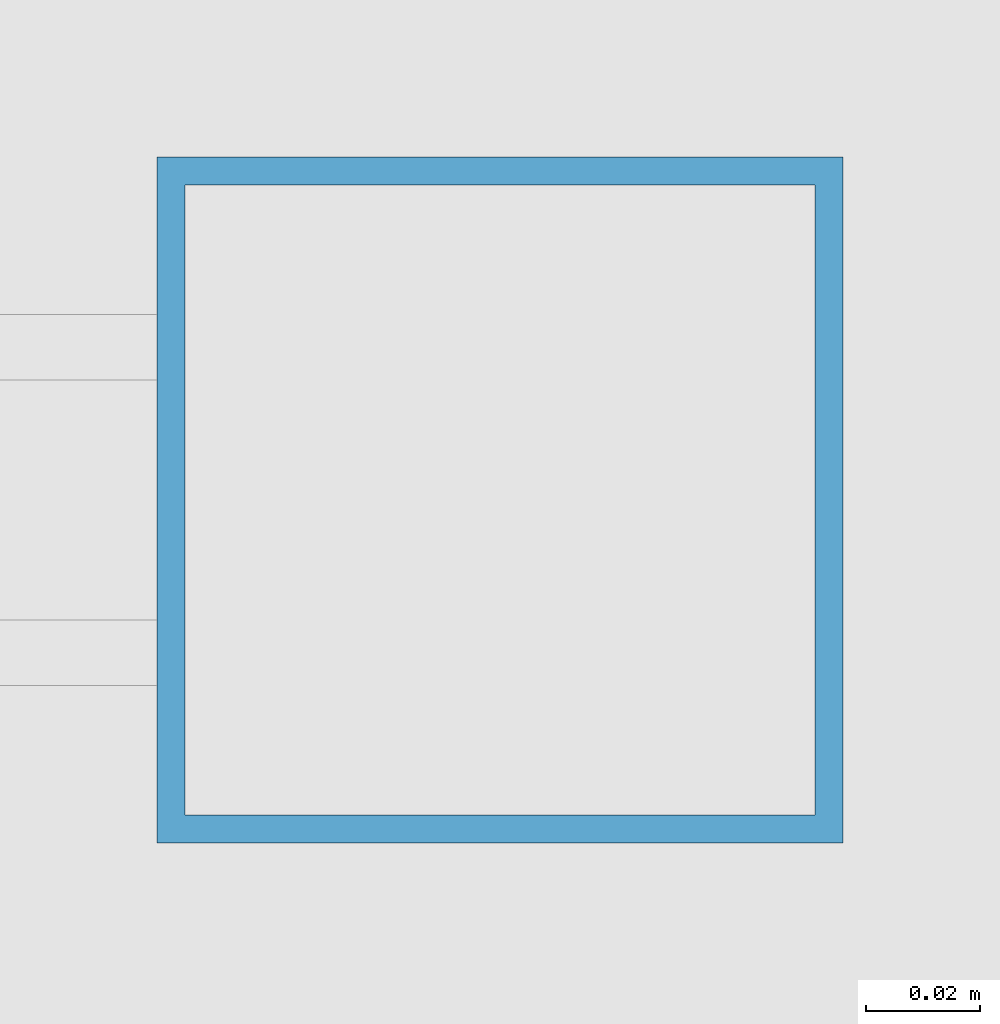
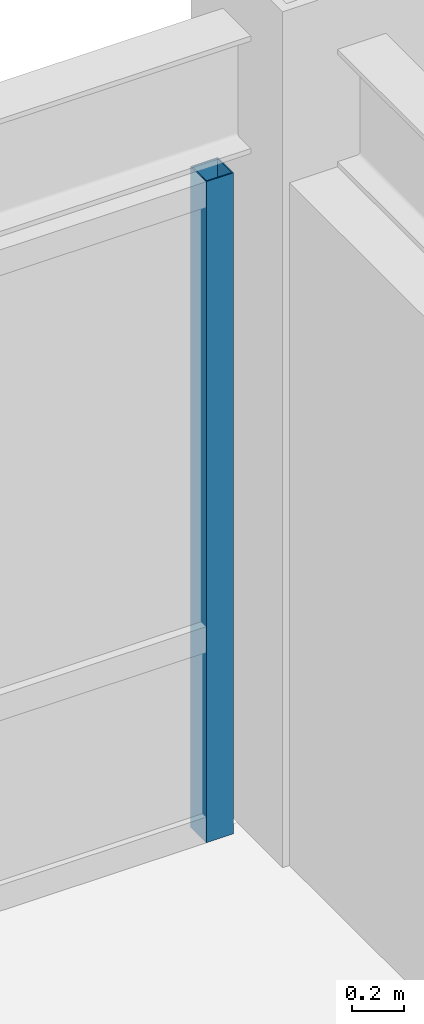
# One storey, part 22 of 29: 1 member, 1 element without a shape of its own.
"""IFC4 building model written with IfcOpenShell, lengths in metres."""

from ifc_helpers import new_model, si_unit, direction, frame, origin, origin_2d, place, context, subcontext, project, spatial, hollow_rectangle, extrude, source, transform, mapped, material, material_profile, profile_set, type_object, element, aggregate, save


model = new_model("IFC4")

# Units and contexts
model_context = context("Model", 3, precision=1e-05, world=origin(), true_north=direction((0.0, 1.0)))
body_context = subcontext(model_context, "Body", "Model", "MODEL_VIEW")
ifc_project = project(units=[si_unit("LENGTHUNIT", "METRE"), si_unit("AREAUNIT", "SQUARE_METRE"), si_unit("VOLUMEUNIT", "CUBIC_METRE"), si_unit("PLANEANGLEUNIT", "RADIAN"), si_unit("MASSUNIT", "GRAM", prefix="KILO")], contexts=[model_context])

# Site, building, storey
site_placement = place(None, origin())
site = spatial("IfcSite", under=ifc_project, at=site_placement, CompositionType="ELEMENT")
building_placement = place(site_placement, origin())
building = spatial("IfcBuilding", under=site, at=building_placement, Name="Khorayat Bourse Tower", CompositionType="ELEMENT")
storey_placement = place(building_placement, frame((0.0, 0.0, 362.300048828125)))
storey = spatial("IfcBuildingStorey", under=building, at=storey_placement, Name="L86", CompositionType="ELEMENT", Elevation=362.300048828125)

# Curtain wall, member
ifc_material = material(Name="Aluminium EN AW-6063 T6", Category="aluminium")
curtain_wall_type = type_object("IfcCurtainWallType", Name="CW-SYS-04", PredefinedType="NOTDEFINED", material=ifc_material)
curtain_wall_placement = place(storey_placement, origin())
curtain_wall = element("IfcCurtainWall", 1, at=curtain_wall_placement, inside=storey, type_object=curtain_wall_type, Name="L86 Curtain Wall CW-L86-N1", PredefinedType="NOTDEFINED")
ifc_material_profile = material_profile(ifc_material, hollow_rectangle(XDim=0.1201171875, YDim=0.1201171875, WallThickness=0.0048828125, at=origin_2d()), Name="ALU 120x120x5")
ifc_profile_set = profile_set([ifc_material_profile], Name="Aluminium EN AW-6063 T6")
member_type = type_object("IfcMemberType", Name="CWM-VERT-120", PredefinedType="MULLION", material=ifc_profile_set)
shared_shape = source(origin(), body_context, "Body", "SweptSolid", [
    extrude(hollow_rectangle(XDim=0.1201171875, YDim=0.1201171875, WallThickness=0.0048828125, at=origin_2d()), origin(), (0.0, 0.0, 1.0), 3.08984375),
])
member_placement = place(storey_placement, frame((19.5400390625, 26.0, 0.0), z_axis=(0.0, 0.0, 1.0), x_axis=(0.0, 1.0, 0.0)))
member = element("IfcMember", 2, at=member_placement, type_object=member_type, Name="CW-L86-N1 Vertical Mullion 3", PredefinedType="MULLION", context=body_context, shape_type="MappedRepresentation", body=[
    mapped(shared_shape, transform((0.0, 0.0, 0.0), scale=1.0)),
])
aggregate(curtain_wall, [member])

save(model, "model.ifc")
